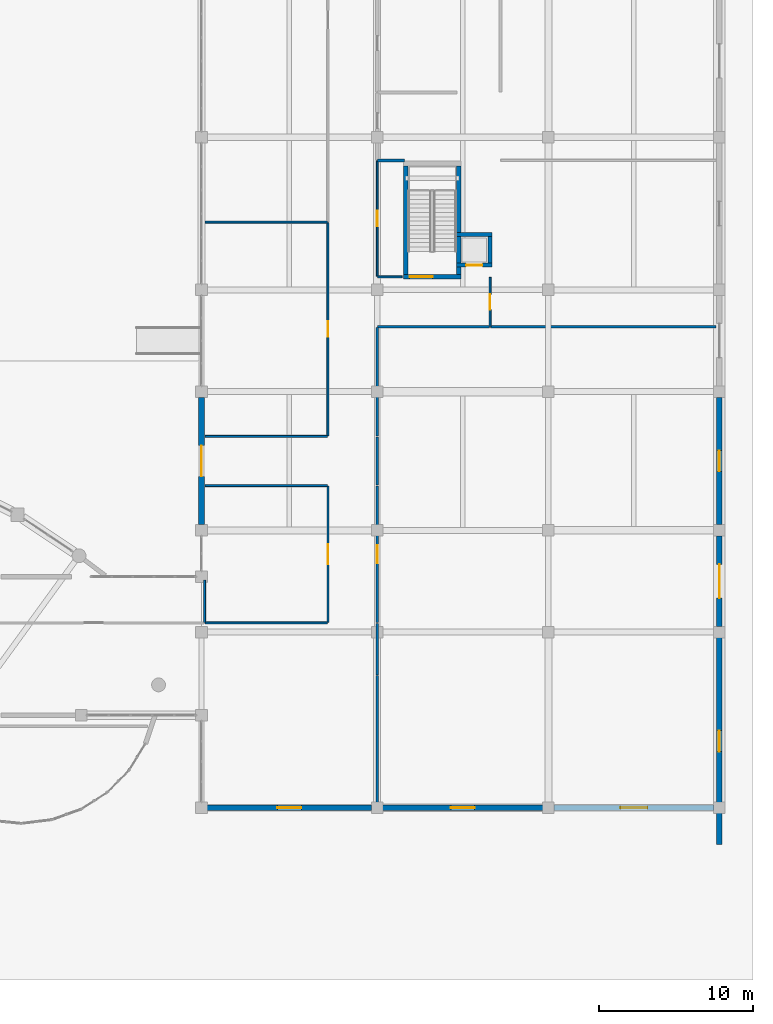
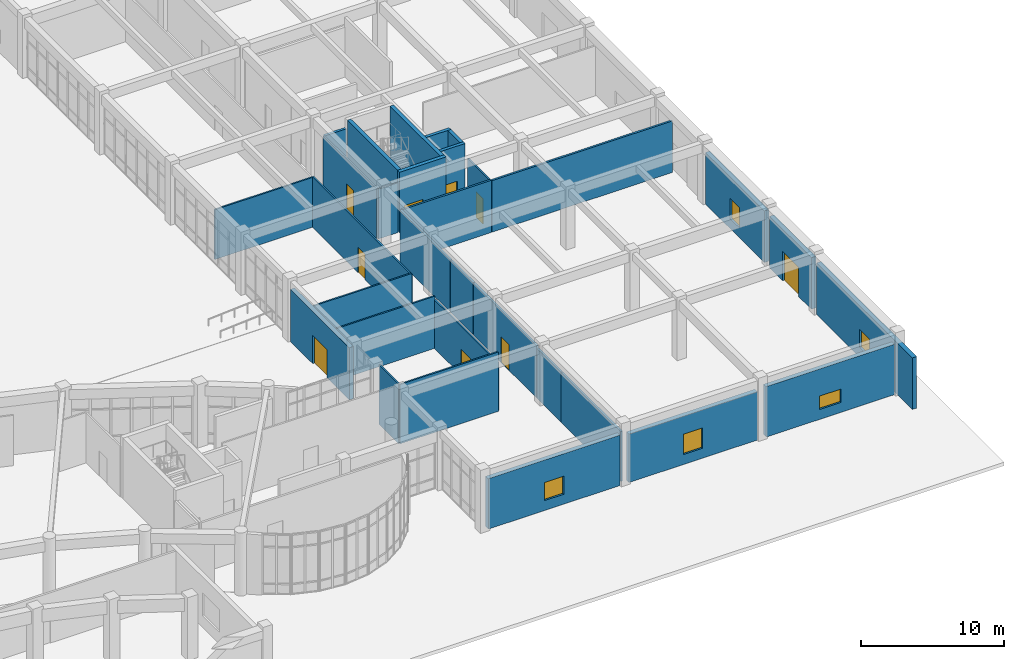
# One storey, part 56 of 70: 31 walls, 9 doors, 5 windows, 14 openings.
"""IFC4 building model written with IfcOpenShell, lengths in metres."""

import ifcopenshell
import ifcopenshell.guid

model = None  # the IFC model being written
_history = None  # IfcOwnerHistory: only IFC2X3 demands one
_inside = {}  # id of a spatial element -> (the spatial element, [elements in it])
_under = {}  # id of a project, library or spatial element -> (it, [spatial elements below it])
_declared = {}  # id of a project -> (the project, [libraries it declares])
_typed = {}  # id of a type object -> (the type object, [elements of that type])
_made_of = {}  # id of a material, layer set ... -> (it, [elements and type objects made of it])


def new_model(schema):
    """Start an empty IFC model of exactly this schema.

    Asked for "IFC4X3", IfcOpenShell would pick the latest addendum, in which some entities
    have other attributes; the version numbers below select the first issue.
    IFC2X3 requires an IfcOwnerHistory on every rooted entity: one is made here for all.
    """
    global model, _history
    if schema == "IFC4X3":
        model = ifcopenshell.file(schema_version=(4, 3, 0, 0))
    else:
        model = ifcopenshell.file(schema=schema)
    _inside.clear()
    _under.clear()
    _declared.clear()
    _typed.clear()
    _made_of.clear()
    _history = None
    if model.schema == "IFC2X3":
        org = make("IfcOrganization", Name="unknown")
        user = make(
            "IfcPersonAndOrganization",
            ThePerson=make("IfcPerson", FamilyName="unknown"),
            TheOrganization=org,
        )
        app = make(
            "IfcApplication",
            ApplicationDeveloper=org,
            Version="unknown",
            ApplicationFullName="unknown",
            ApplicationIdentifier="unknown",
        )
        _history = make(
            "IfcOwnerHistory",
            OwningUser=user,
            OwningApplication=app,
            ChangeAction="ADDED",
            CreationDate=0,
        )
    return model


def make(cls, **values):
    """One entity of the class cls with the attributes given. An attribute that is None is left unset."""
    return model.create_entity(
        cls, **{name: value for name, value in values.items() if value is not None}
    )


def rooted(cls, **values):
    """An entity with a GlobalId (a new one), such as an element, a storey or a relation."""
    return make(cls, GlobalId=ifcopenshell.guid.new(), OwnerHistory=_history, **values)


def si_unit(unit_type, name, prefix=None):
    """IfcSIUnit, for example si_unit("LENGTHUNIT", "METRE", prefix="MILLI")."""
    return make("IfcSIUnit", UnitType=unit_type, Prefix=prefix, Name=name)


def assignment(units):
    """IfcUnitAssignment: the units of a project."""
    return None if units is None else make("IfcUnitAssignment", Units=units)


def point(xyz):
    """IfcCartesianPoint."""
    return None if xyz is None else make("IfcCartesianPoint", Coordinates=xyz)


def direction(xyz):
    """IfcDirection."""
    return None if xyz is None else make("IfcDirection", DirectionRatios=xyz)


def frame(location, z_axis=None, x_axis=None):
    """IfcAxis2Placement3D, a coordinate frame: its origin and axes. An axis left out is left unset."""
    return make(
        "IfcAxis2Placement3D",
        Location=point(location),
        Axis=direction(z_axis),
        RefDirection=direction(x_axis),
    )


def frame_2d(location, x_axis=None):
    """IfcAxis2Placement2D, a coordinate frame in the plane: its origin and x axis."""
    return make(
        "IfcAxis2Placement2D", Location=point(location), RefDirection=direction(x_axis)
    )


def origin():
    """The frame at (0, 0, 0) with its axes left unset."""
    return frame((0.0, 0.0, 0.0))


def place(relative_to, where):
    """IfcLocalPlacement: puts the frame where relative to a parent placement (None: the world)."""
    return make(
        "IfcLocalPlacement", PlacementRelTo=relative_to, RelativePlacement=where
    )


def context(
    kind, dimensions, precision=None, world=None, true_north=None, identifier=None
):
    """IfcGeometricRepresentationContext, for example the 3D "Model" context."""
    return make(
        "IfcGeometricRepresentationContext",
        ContextIdentifier=identifier,
        ContextType=kind,
        CoordinateSpaceDimension=dimensions,
        Precision=precision,
        WorldCoordinateSystem=world,
        TrueNorth=true_north,
    )


def subcontext(parent, identifier, kind, view, scale=None):
    """IfcGeometricRepresentationSubContext, for example "Body" below "Model"."""
    return make(
        "IfcGeometricRepresentationSubContext",
        ContextIdentifier=identifier,
        ContextType=kind,
        ParentContext=parent,
        TargetScale=scale,
        TargetView=view,
    )


def project(units=None, contexts=None):
    """IfcProject with its units and contexts."""
    return rooted(
        "IfcProject",
        Name="project",
        RepresentationContexts=contexts,
        UnitsInContext=assignment(units),
    )


def spatial(cls, under=None, at=None, **own):
    """A site, building, storey or space (cls), placed at a placement, below another one or the project."""
    s = rooted(cls, ObjectPlacement=at, **own)
    if under is not None:
        _under.setdefault(under.id(), (under, []))[1].append(s)
    return s


def profile(cls, at=None, kind="AREA", **sizes):
    """A parametric profile (cls). Its sizes go by their IFC names, for example OverallWidth=200.0."""
    return make(cls, ProfileType=kind, Position=at, **sizes)


def rectangle(**sizes):
    """IfcRectangleProfileDef."""
    return profile("IfcRectangleProfileDef", **sizes)


def extrude(swept, where, along, depth):
    """IfcExtrudedAreaSolid: the profile swept, set in the frame where, extruded along a direction by depth."""
    return make(
        "IfcExtrudedAreaSolid",
        SweptArea=swept,
        Position=where,
        ExtrudedDirection=direction(along),
        Depth=depth,
    )


def shape(context_of_items, identifier, shape_type, items):
    """IfcShapeRepresentation: the items that make up one representation, for example the "Body"."""
    return make(
        "IfcShapeRepresentation",
        ContextOfItems=context_of_items,
        RepresentationIdentifier=identifier,
        RepresentationType=shape_type,
        Items=items,
    )


def material(Name=None, Category=None):
    """IfcMaterial."""
    return make("IfcMaterial", Name=Name, Category=Category)


def layer(
    of_material, thickness, ventilated=None, Name=None, Category=None, Priority=None
):
    """IfcMaterialLayer: one layer of a wall or slab, of a material (None: an air gap)."""
    return make(
        "IfcMaterialLayer",
        Material=of_material,
        LayerThickness=thickness,
        IsVentilated=ventilated,
        Name=Name,
        Category=Category,
        Priority=Priority,
    )


def layer_set(layers, Name=None):
    """IfcMaterialLayerSet."""
    return make("IfcMaterialLayerSet", MaterialLayers=layers, LayerSetName=Name)


def made_of(thing, what):
    """Note that an element or type object is made of a material, layer set ...; save() writes the relation."""
    if what is not None:
        _made_of.setdefault(what.id(), (what, []))[1].append(thing)
    return thing


def type_object(cls, material=None, **own):
    """A type object (cls), such as IfcWallType, which elements share."""
    return made_of(rooted(cls, **own), material)


def element(
    cls,
    number,
    at=None,
    inside=None,
    cuts=None,
    type_object=None,
    material=None,
    context=None,
    identifier="Body",
    shape_type=None,
    held_by="IfcProductDefinitionShape",
    body=None,
    shapes=None,
    **own,
):
    """One element of the class cls, such as IfcWall. Its Tag is "e" and its number.

    at: its placement. inside: the storey or other place that contains it. cuts: it is an
    opening in that element (IfcRelVoidsElement). A single representation is given by context,
    identifier, shape_type and body (its items); several are given by shapes. held_by: the class
    of the entity that holds the representations. save() writes the other relations.
    """
    e = rooted(cls, Tag="e%d" % number, ObjectPlacement=at, **own)
    if body is not None:
        shapes = [shape(context, identifier, shape_type, body)]
    if shapes is not None:
        e.Representation = make(held_by, Representations=shapes)
    if inside is not None:
        _inside.setdefault(inside.id(), (inside, []))[1].append(e)
    if cuts is not None:
        rooted(
            "IfcRelVoidsElement", RelatingBuildingElement=cuts, RelatedOpeningElement=e
        )
    if type_object is not None:
        _typed.setdefault(type_object.id(), (type_object, []))[1].append(e)
    return made_of(e, material)


def fill(opening, filler):
    """IfcRelFillsElement: the door or window that sits in an opening."""
    return rooted(
        "IfcRelFillsElement",
        RelatingOpeningElement=opening,
        RelatedBuildingElement=filler,
    )


def aggregate(whole, parts):
    """IfcRelAggregates: a whole, such as a stair, and the parts it consists of."""
    return rooted("IfcRelAggregates", RelatingObject=whole, RelatedObjects=parts)


def save(model, path):
    """Write the relations noted so far, then the file.

    IfcRelAggregates (storeys below a building ...), IfcRelContainedInSpatialStructure (elements
    in a storey), IfcRelDefinesByType, IfcRelAssociatesMaterial and IfcRelDeclares: one each for
    every whole, place, type object, material and project.
    """
    for whole, parts in _under.values():
        aggregate(whole, parts)
    for where, things in _inside.values():
        rooted(
            "IfcRelContainedInSpatialStructure",
            RelatedElements=things,
            RelatingStructure=where,
        )
    for kind, things in _typed.values():
        rooted("IfcRelDefinesByType", RelatedObjects=things, RelatingType=kind)
    for what, things in _made_of.values():
        rooted("IfcRelAssociatesMaterial", RelatedObjects=things, RelatingMaterial=what)
    for by, libraries in _declared.values():
        rooted("IfcRelDeclares", RelatingContext=by, RelatedDefinitions=libraries)
    model.write(path)


model = new_model("IFC4")

# Units and contexts
model_context = context("Model", 3, precision=1e-05, world=origin(), true_north=direction((0.0, 1.0)))
body_context = subcontext(model_context, "Body", "Model", "MODEL_VIEW")
ifc_project = project(units=[si_unit("LENGTHUNIT", "METRE"), si_unit("AREAUNIT", "SQUARE_METRE"), si_unit("VOLUMEUNIT", "CUBIC_METRE"), si_unit("PLANEANGLEUNIT", "RADIAN"), si_unit("MASSUNIT", "GRAM", prefix="KILO")], contexts=[model_context])

# Site, building, storey
site_placement = place(None, origin())
site = spatial("IfcSite", under=ifc_project, at=site_placement, CompositionType="ELEMENT")
building_placement = place(site_placement, origin())
building = spatial("IfcBuilding", under=site, at=building_placement, Name="Miralva Faculty of Natural Sciences", CompositionType="ELEMENT")
storey_placement = place(building_placement, origin())
storey = spatial("IfcBuildingStorey", under=building, at=storey_placement, Name="L00", CompositionType="ELEMENT", Elevation=0.0)

# Wall, opening, door
ifc_material_1 = material(Name="Concrete C40/50", Category="concrete")
ifc_layer_1 = layer(ifc_material_1, 0.300048828125, Name="WL-CW03")
ifc_layer_set_1 = layer_set([ifc_layer_1], Name="Concrete C40/50")
wall_type_1 = type_object("IfcWallType", Name="WL-CW03", PredefinedType="SHEAR", material=ifc_layer_set_1)
wall_1_placement = place(storey_placement, frame((146.89990234375, 46.449951171875, 0.0), z_axis=(0.0, 0.0, 1.0), x_axis=(1.0, 0.0, 0.0)))
wall_1 = element("IfcWall", 1, at=wall_1_placement, inside=storey, type_object=wall_type_1, Name="Core C4 shear wall south L00", PredefinedType="SHEAR", context=body_context, shape_type="SweptSolid", body=[
    extrude(rectangle(XDim=3.75, YDim=0.300048828125, at=frame_2d((1.875, 0.0))), origin(), (0.0, 0.0, 1.0), 5.179931640625),
])
opening_1_placement = place(wall_1_placement, frame((0.39990234375, 0.0, 0.0)))
opening_1 = element("IfcOpeningElement", 2, at=opening_1_placement, cuts=wall_1, Name="Opening D-11", PredefinedType="OPENING", context=body_context, shape_type="SweptSolid", body=[
    extrude(rectangle(XDim=1.5, YDim=2.199951171875, at=frame_2d((0.75, 1.10009765625))), frame((0.0, 0.159912109375, 0.0), z_axis=(0.0, -1.0, 0.0), x_axis=(1.0, 0.0, 0.0)), (0.0, 0.0, 1.0), 0.320068359375),
])
ifc_material_2 = material(Name="Galvanised steel", Category="steel")
door_type_1 = type_object("IfcDoorType", Name="DR-DI11", OperationType="DOUBLE_DOOR_SINGLE_SWING", PredefinedType="DOOR", material=ifc_material_2)
door_1_placement = place(opening_1_placement, frame((1.5, 0.0, 0.0), z_axis=(0.0, 0.0, 1.0), x_axis=(-1.0, 0.0, 0.0)))
door_1 = element("IfcDoor", 3, at=door_1_placement, inside=storey, type_object=door_type_1, Name="Protected exit stair door Core C4 L00", OperationType="DOUBLE_DOOR_SINGLE_SWING", OverallHeight=2.199951171875, OverallWidth=1.5, PredefinedType="DOOR", context=body_context, shape_type="SweptSolid", body=[
    extrude(rectangle(XDim=1.5, YDim=2.199951171875, at=frame_2d((0.75, 1.10009765625))), frame((0.0, 0.02490234375, 0.0), z_axis=(0.0, -1.0, 0.0), x_axis=(1.0, 0.0, 0.0)), (0.0, 0.0, 1.0), 0.050048828125),
])
fill(opening_1, door_1)

# Walls
for number, where, z_axis, x_axis, name in (
    (4, (147.050048828125, 46.60009765625, 0.0), (0.0, 0.0, 1.0), (0.0, 1.0, 0.0), "Core C4 shear wall west L00"),
    (5, (150.5, 46.60009765625, 0.0), (0.0, 0.0, 1.0), (0.0, 1.0, 0.0), "Core C4 shear wall east L00"),
):
    element("IfcWall", number, at=place(storey_placement, frame(where, z_axis=z_axis, x_axis=x_axis)), inside=storey, type_object=wall_type_1, Name=name, PredefinedType="SHEAR", context=body_context, shape_type="SweptSolid", body=[
        extrude(rectangle(XDim=7.0498046875, YDim=0.300048828125, at=frame_2d((3.52490234375, 0.0))), origin(), (0.0, 0.0, 1.0), 5.179931640625),
    ])

# Wall, opening, door
ifc_layer_2 = layer(ifc_material_1, 0.25, Name="WL-CW04")
ifc_layer_set_2 = layer_set([ifc_layer_2], Name="Concrete C40/50")
wall_type_2 = type_object("IfcWallType", Name="WL-CW04", PredefinedType="SHEAR", material=ifc_layer_set_2)
wall_2_placement = place(storey_placement, frame((150.35498046875, 47.205078125, 0.0), z_axis=(0.0, 0.0, 1.0), x_axis=(1.0, 0.0, 0.0)))
wall_2 = element("IfcWall", 6, at=wall_2_placement, inside=storey, type_object=wall_type_2, Name="Lift L-06 hoistway front wall L00", PredefinedType="SHEAR", context=body_context, shape_type="SweptSolid", body=[
    extrude(rectangle(XDim=2.2900390625, YDim=0.25, at=frame_2d((1.14501953125, 0.0))), origin(), (0.0, 0.0, 1.0), 5.159912109375),
])
opening_2_placement = place(wall_2_placement, frame((0.6201171875, 0.0, 0.0)))
opening_2 = element("IfcOpeningElement", 7, at=opening_2_placement, cuts=wall_2, Name="Opening LD-03", PredefinedType="OPENING", context=body_context, shape_type="SweptSolid", body=[
    extrude(rectangle(XDim=1.050048828125, YDim=2.14990234375, at=frame_2d((0.52490234375, 1.074951171875))), frame((0.0, 0.135009765625, 0.0), z_axis=(0.0, -1.0, 0.0), x_axis=(1.0, 0.0, 0.0)), (0.0, 0.0, 1.0), 0.27001953125),
])
door_type_2 = type_object("IfcDoorType", Name="DR-LD03", OperationType="SLIDING_TO_RIGHT", PredefinedType="DOOR", material=ifc_material_2)
door_2_placement = place(opening_2_placement, frame((1.050048828125, 0.0, 0.0), z_axis=(0.0, 0.0, 1.0), x_axis=(-1.0, 0.0, 0.0)))
door_2 = element("IfcDoor", 8, at=door_2_placement, inside=storey, type_object=door_type_2, Name="Lift L-06 sliding landing door L00", OperationType="SLIDING_TO_RIGHT", OverallHeight=2.14990234375, OverallWidth=1.050048828125, PredefinedType="DOOR", context=body_context, shape_type="SweptSolid", body=[
    extrude(rectangle(XDim=1.050048828125, YDim=2.14990234375, at=frame_2d((0.52490234375, 1.074951171875))), frame((0.0, 0.02490234375, 0.0), z_axis=(0.0, -1.0, 0.0), x_axis=(1.0, 0.0, 0.0)), (0.0, 0.0, 1.0), 0.050048828125),
])
fill(opening_2, door_2)

# Walls
wall_3_placement = place(storey_placement, frame((150.35498046875, 49.195068359375, 0.0), z_axis=(0.0, 0.0, 1.0), x_axis=(1.0, 0.0, 0.0)))
element("IfcWall", 9, at=wall_3_placement, inside=storey, type_object=wall_type_2, Name="Lift L-06 hoistway rear wall L00", PredefinedType="SHEAR", context=body_context, shape_type="SweptSolid", body=[
    extrude(rectangle(XDim=2.2900390625, YDim=0.25, at=frame_2d((1.14501953125, 0.0))), origin(), (0.0, 0.0, 1.0), 5.159912109375),
])
wall_4_placement = place(storey_placement, frame((152.52001953125, 47.330078125, 0.0), z_axis=(0.0, 0.0, 1.0), x_axis=(0.0, 1.0, 0.0)))
element("IfcWall", 10, at=wall_4_placement, inside=storey, type_object=wall_type_2, Name="Lift L-06 hoistway E wall L00", PredefinedType="SHEAR", context=body_context, shape_type="SweptSolid", body=[
    extrude(rectangle(XDim=1.739990234375, YDim=0.25, at=frame_2d((0.8701171875, 0.0))), origin(), (0.0, 0.0, 1.0), 5.159912109375),
])
ifc_material_3 = material(Name="Gypsum plasterboard")
ifc_layer_3 = layer(ifc_material_3, 0.159912109375, Name="WL-PT03")
ifc_layer_set_3 = layer_set([ifc_layer_3], Name="Gypsum plasterboard")
wall_type_3 = type_object("IfcWallType", Name="WL-PT03", PredefinedType="PARTITIONING", material=ifc_layer_set_3)
wall_5_placement = place(storey_placement, frame((145.22998046875, 43.199951171875, 0.0), z_axis=(0.0, 0.0, 1.0), x_axis=(1.0, 0.0, 0.0)))
element("IfcWall", 11, at=wall_5_placement, inside=storey, type_object=wall_type_3, Name="Interior partition PT-03 L00-79", PredefinedType="PARTITIONING", context=body_context, shape_type="SweptSolid", body=[
    extrude(rectangle(XDim=7.260009765625, YDim=0.159912109375, at=frame_2d((3.6298828125, 0.0))), origin(), (0.0, 0.0, 1.0), 4.465087890625),
])
wall_6_placement = place(storey_placement, frame((145.199951171875, 36.1298828125, 0.0), z_axis=(0.0, 0.0, 1.0), x_axis=(0.0, 1.0, 0.0)))
element("IfcWall", 12, at=wall_6_placement, inside=storey, type_object=wall_type_3, Name="Interior partition PT-03 L00-80", PredefinedType="PARTITIONING", context=body_context, shape_type="SweptSolid", body=[
    extrude(rectangle(XDim=7.0400390625, YDim=0.159912109375, at=frame_2d((3.52001953125, 0.0))), origin(), (0.0, 0.0, 1.0), 4.465087890625),
])
wall_7_placement = place(storey_placement, frame((145.199951171875, 32.929931640625, 0.0), z_axis=(0.0, 0.0, 1.0), x_axis=(0.0, 1.0, 0.0)))
element("IfcWall", 13, at=wall_7_placement, inside=storey, type_object=wall_type_3, Name="Interior partition PT-03 L00-81", PredefinedType="PARTITIONING", context=body_context, shape_type="SweptSolid", body=[
    extrude(rectangle(XDim=3.14013671875, YDim=0.159912109375, at=frame_2d((1.570068359375, 0.0))), origin(), (0.0, 0.0, 1.0), 4.465087890625),
])

# Wall, opening, door
wall_8_placement = place(storey_placement, frame((145.199951171875, 24.030029296875, 0.0), z_axis=(0.0, 0.0, 1.0), x_axis=(0.0, 1.0, 0.0)))
wall_8 = element("IfcWall", 14, at=wall_8_placement, inside=storey, type_object=wall_type_3, Name="Interior partition PT-03 L00-82", PredefinedType="PARTITIONING", context=body_context, shape_type="SweptSolid", body=[
    extrude(rectangle(XDim=8.840087890625, YDim=0.159912109375, at=frame_2d((4.419921875, 0.0))), origin(), (0.0, 0.0, 1.0), 4.465087890625),
])
opening_3_placement = place(wall_8_placement, frame((3.830078125, 0.0, 0.0)))
opening_3 = element("IfcOpeningElement", 15, at=opening_3_placement, cuts=wall_8, Name="Opening D-34", PredefinedType="OPENING", context=body_context, shape_type="SweptSolid", body=[
    extrude(rectangle(XDim=1.179931640625, YDim=2.199951171875, at=frame_2d((0.58984375, 1.10009765625))), frame((0.0, 0.08984375, 0.0), z_axis=(0.0, -1.0, 0.0), x_axis=(1.0, 0.0, 0.0)), (0.0, 0.0, 1.0), 0.179931640625),
])
ifc_material_4 = material(Name="Anodised aluminium", Category="aluminium")
door_type_3 = type_object("IfcDoorType", Name="DR-DI34", OperationType="NOTDEFINED", PredefinedType="DOOR", material=ifc_material_4)
door_3_placement = place(opening_3_placement, origin())
door_3 = element("IfcDoor", 16, at=door_3_placement, inside=storey, type_object=door_type_3, Name="Interior door D-34 L00-37", OperationType="SINGLE_SWING_RIGHT", OverallHeight=2.199951171875, OverallWidth=1.179931640625, PredefinedType="DOOR", context=body_context, shape_type="SweptSolid", body=[
    extrude(rectangle(XDim=1.179931640625, YDim=2.199951171875, at=frame_2d((0.58984375, 1.10009765625))), frame((0.0, 0.02490234375, 0.0), z_axis=(0.0, -1.0, 0.0), x_axis=(1.0, 0.0, 0.0)), (0.0, 0.0, 1.0), 0.050048828125),
])
fill(opening_3, door_3)

# Walls
wall_9_placement = place(storey_placement, frame((145.199951171875, 20.6298828125, 0.0), z_axis=(0.0, 0.0, 1.0), x_axis=(0.0, 1.0, 0.0)))
element("IfcWall", 17, at=wall_9_placement, inside=storey, type_object=wall_type_3, Name="Interior partition PT-03 L00-83", PredefinedType="PARTITIONING", context=body_context, shape_type="SweptSolid", body=[
    extrude(rectangle(XDim=3.340087890625, YDim=0.159912109375, at=frame_2d((1.669921875, 0.0))), origin(), (0.0, 0.0, 1.0), 4.264892578125),
])
wall_10_placement = place(storey_placement, frame((145.199951171875, 12.22998046875, 0.0), z_axis=(0.0, 0.0, 1.0), x_axis=(0.0, 1.0, 0.0)))
element("IfcWall", 18, at=wall_10_placement, inside=storey, type_object=wall_type_3, Name="Interior partition PT-03 L00-84", PredefinedType="PARTITIONING", context=body_context, shape_type="SweptSolid", body=[
    extrude(rectangle(XDim=8.340087890625, YDim=0.159912109375, at=frame_2d((4.169921875, 0.0))), origin(), (0.0, 0.0, 1.0), 4.264892578125),
])
wall_11_placement = place(storey_placement, frame((152.550048828125, 43.199951171875, 0.0), z_axis=(0.0, 0.0, 1.0), x_axis=(1.0, 0.0, 0.0)))
element("IfcWall", 19, at=wall_11_placement, inside=storey, type_object=wall_type_3, Name="Interior partition PT-03 L00-118", PredefinedType="PARTITIONING", context=body_context, shape_type="SweptSolid", body=[
    extrude(rectangle(XDim=14.619873046875, YDim=0.159912109375, at=frame_2d((7.31005859375, 0.0))), origin(), (0.0, 0.0, 1.0), 4.4150390625),
])
ifc_layer_4 = layer(ifc_material_3, 0.125, Name="WL-PT05")
ifc_layer_set_4 = layer_set([ifc_layer_4], Name="Gypsum plasterboard")
wall_type_4 = type_object("IfcWallType", Name="WL-PT05", PredefinedType="PARTITIONING", material=ifc_layer_set_4)
wall_12_placement = place(storey_placement, frame((134.030029296875, 24.0, 0.0), z_axis=(0.0, 0.0, 1.0), x_axis=(1.0, 0.0, 0.0)))
element("IfcWall", 20, at=wall_12_placement, inside=storey, type_object=wall_type_4, Name="Interior partition PT-05 L00-72", PredefinedType="PARTITIONING", context=body_context, shape_type="SweptSolid", body=[
    extrude(rectangle(XDim=7.93994140625, YDim=0.125, at=frame_2d((3.969970703125, 0.0))), origin(), (0.0, 0.0, 1.0), 5.080078125),
])

# Wall, opening, door
wall_13_placement = place(storey_placement, frame((142.0, 24.030029296875, 0.0), z_axis=(0.0, 0.0, 1.0), x_axis=(0.0, 1.0, 0.0)))
wall_13 = element("IfcWall", 21, at=wall_13_placement, inside=storey, type_object=wall_type_4, Name="Interior partition PT-05 L00-73", PredefinedType="PARTITIONING", context=body_context, shape_type="SweptSolid", body=[
    extrude(rectangle(XDim=8.840087890625, YDim=0.125, at=frame_2d((4.419921875, 0.0))), origin(), (0.0, 0.0, 1.0), 4.155029296875),
])
opening_4_placement = place(wall_13_placement, frame((3.77001953125, 0.0, 0.0)))
opening_4 = element("IfcOpeningElement", 22, at=opening_4_placement, cuts=wall_13, Name="Opening D-36", PredefinedType="OPENING", context=body_context, shape_type="SweptSolid", body=[
    extrude(rectangle(XDim=1.300048828125, YDim=2.199951171875, at=frame_2d((0.64990234375, 1.10009765625))), frame((0.0, 0.072509765625, 0.0), z_axis=(0.0, -1.0, 0.0), x_axis=(1.0, 0.0, 0.0)), (0.0, 0.0, 1.0), 0.14501953125),
])
door_type_4 = type_object("IfcDoorType", Name="DR-DI36", OperationType="NOTDEFINED", PredefinedType="DOOR", material=ifc_material_4)
door_4_placement = place(opening_4_placement, origin())
door_4 = element("IfcDoor", 23, at=door_4_placement, inside=storey, type_object=door_type_4, Name="Interior door D-36 L00-35", OperationType="SINGLE_SWING_RIGHT", OverallHeight=2.199951171875, OverallWidth=1.300048828125, PredefinedType="DOOR", context=body_context, shape_type="SweptSolid", body=[
    extrude(rectangle(XDim=1.300048828125, YDim=2.199951171875, at=frame_2d((0.64990234375, 1.10009765625))), frame((0.0, 0.02490234375, 0.0), z_axis=(0.0, -1.0, 0.0), x_axis=(1.0, 0.0, 0.0)), (0.0, 0.0, 1.0), 0.050048828125),
])
fill(opening_4, door_4)

# Walls
for number, where, z_axis, x_axis, name in (
    (24, (134.030029296875, 32.89990234375, 0.0), (0.0, 0.0, 1.0), (1.0, 0.0, 0.0), "Interior partition PT-05 L00-74"),
    (25, (134.030029296875, 36.10009765625, 0.0), (0.0, 0.0, 1.0), (1.0, 0.0, 0.0), "Interior partition PT-05 L00-75"),
):
    element("IfcWall", number, at=place(storey_placement, frame(where, z_axis=z_axis, x_axis=x_axis)), inside=storey, type_object=wall_type_4, Name=name, PredefinedType="PARTITIONING", context=body_context, shape_type="SweptSolid", body=[
        extrude(rectangle(XDim=7.93994140625, YDim=0.125, at=frame_2d((3.969970703125, 0.0))), origin(), (0.0, 0.0, 1.0), 4.465087890625),
    ])

# Wall, opening, door
wall_14_placement = place(storey_placement, frame((142.0, 36.1298828125, 0.0), z_axis=(0.0, 0.0, 1.0), x_axis=(0.0, 1.0, 0.0)))
wall_14 = element("IfcWall", 26, at=wall_14_placement, inside=storey, type_object=wall_type_4, Name="Interior partition PT-05 L00-76", PredefinedType="PARTITIONING", context=body_context, shape_type="SweptSolid", body=[
    extrude(rectangle(XDim=13.840087890625, YDim=0.125, at=frame_2d((6.919921875, 0.0))), origin(), (0.0, 0.0, 1.0), 4.31494140625),
])
opening_5_placement = place(wall_14_placement, frame((6.419921875, 0.0, 0.0)))
opening_5 = element("IfcOpeningElement", 27, at=opening_5_placement, cuts=wall_14, Name="Opening D-25", PredefinedType="OPENING", context=body_context, shape_type="SweptSolid", body=[
    extrude(rectangle(XDim=1.0, YDim=2.14990234375, at=frame_2d((0.5, 1.074951171875))), frame((0.0, 0.072509765625, 0.0), z_axis=(0.0, -1.0, 0.0), x_axis=(1.0, 0.0, 0.0)), (0.0, 0.0, 1.0), 0.14501953125),
])
door_type_5 = type_object("IfcDoorType", Name="DR-DI25", OperationType="NOTDEFINED", PredefinedType="DOOR", material=ifc_material_4)
door_5_placement = place(opening_5_placement, origin())
door_5 = element("IfcDoor", 28, at=door_5_placement, inside=storey, type_object=door_type_5, Name="Interior door D-25 L00-36", OperationType="SINGLE_SWING_LEFT", OverallHeight=2.14990234375, OverallWidth=1.0, PredefinedType="DOOR", context=body_context, shape_type="SweptSolid", body=[
    extrude(rectangle(XDim=1.0, YDim=2.14990234375, at=frame_2d((0.5, 1.074951171875))), frame((0.0, 0.02490234375, 0.0), z_axis=(0.0, -1.0, 0.0), x_axis=(1.0, 0.0, 0.0)), (0.0, 0.0, 1.0), 0.050048828125),
])
fill(opening_5, door_5)

wall_15_placement = place(storey_placement, frame((152.52001953125, 43.22998046875, 0.0), z_axis=(0.0, 0.0, 1.0), x_axis=(0.0, 1.0, 0.0)))
wall_15 = element("IfcWall", 29, at=wall_15_placement, inside=storey, type_object=wall_type_4, Name="Interior partition PT-05 L00-85", PredefinedType="PARTITIONING", context=body_context, shape_type="SweptSolid", body=[
    extrude(rectangle(XDim=3.18994140625, YDim=0.125, at=frame_2d((1.594970703125, 0.0))), origin(), (0.0, 0.0, 1.0), 4.35498046875),
])
opening_6_placement = place(wall_15_placement, frame((1.094970703125, 0.0, 0.0)))
opening_6 = element("IfcOpeningElement", 30, at=opening_6_placement, cuts=wall_15, Name="Opening D-25", PredefinedType="OPENING", context=body_context, shape_type="SweptSolid", body=[
    extrude(rectangle(XDim=1.0, YDim=2.14990234375, at=frame_2d((0.5, 1.074951171875))), frame((0.0, 0.072509765625, 0.0), z_axis=(0.0, -1.0, 0.0), x_axis=(1.0, 0.0, 0.0)), (0.0, 0.0, 1.0), 0.14501953125),
])
door_6_placement = place(opening_6_placement, origin())
door_6 = element("IfcDoor", 31, at=door_6_placement, inside=storey, type_object=door_type_5, Name="Interior door D-25 L00-38", OperationType="SINGLE_SWING_LEFT", OverallHeight=2.14990234375, OverallWidth=1.0, PredefinedType="DOOR", context=body_context, shape_type="SweptSolid", body=[
    extrude(rectangle(XDim=1.0, YDim=2.14990234375, at=frame_2d((0.5, 1.074951171875))), frame((0.0, 0.02490234375, 0.0), z_axis=(0.0, -1.0, 0.0), x_axis=(1.0, 0.0, 0.0)), (0.0, 0.0, 1.0), 0.050048828125),
])
fill(opening_6, door_6)

wall_16_placement = place(storey_placement, frame((145.199951171875, 46.47998046875, 0.0), z_axis=(0.0, 0.0, 1.0), x_axis=(0.0, 1.0, 0.0)))
wall_16 = element("IfcWall", 32, at=wall_16_placement, inside=storey, type_object=wall_type_4, Name="Interior partition PT-05 L00-91", PredefinedType="PARTITIONING", context=body_context, shape_type="SweptSolid", body=[
    extrude(rectangle(XDim=7.489990234375, YDim=0.125, at=frame_2d((3.7451171875, 0.0))), origin(), (0.0, 0.0, 1.0), 4.264892578125),
])
opening_7_placement = place(wall_16_placement, frame((3.2451171875, 0.0, 0.0)))
opening_7 = element("IfcOpeningElement", 33, at=opening_7_placement, cuts=wall_16, Name="Opening D-25", PredefinedType="OPENING", context=body_context, shape_type="SweptSolid", body=[
    extrude(rectangle(XDim=1.0, YDim=2.14990234375, at=frame_2d((0.5, 1.074951171875))), frame((0.0, 0.072509765625, 0.0), z_axis=(0.0, -1.0, 0.0), x_axis=(1.0, 0.0, 0.0)), (0.0, 0.0, 1.0), 0.14501953125),
])
door_7_placement = place(opening_7_placement, origin())
door_7 = element("IfcDoor", 34, at=door_7_placement, inside=storey, type_object=door_type_5, Name="Interior door D-25 L00-43", OperationType="SINGLE_SWING_RIGHT", OverallHeight=2.14990234375, OverallWidth=1.0, PredefinedType="DOOR", context=body_context, shape_type="SweptSolid", body=[
    extrude(rectangle(XDim=1.0, YDim=2.14990234375, at=frame_2d((0.5, 1.074951171875))), frame((0.0, 0.02490234375, 0.0), z_axis=(0.0, -1.0, 0.0), x_axis=(1.0, 0.0, 0.0)), (0.0, 0.0, 1.0), 0.050048828125),
])
fill(opening_7, door_7)

# Walls
wall_17_placement = place(storey_placement, frame((145.22998046875, 46.449951171875, 0.0), z_axis=(0.0, 0.0, 1.0), x_axis=(1.0, 0.0, 0.0)))
element("IfcWall", 35, at=wall_17_placement, inside=storey, type_object=wall_type_4, Name="Interior partition PT-05 L00-92", PredefinedType="PARTITIONING", context=body_context, shape_type="SweptSolid", body=[
    extrude(rectangle(XDim=1.590087890625, YDim=0.125, at=frame_2d((0.794921875, 0.0))), origin(), (0.0, 0.0, 1.0), 4.264892578125),
])
wall_18_placement = place(storey_placement, frame((134.0, 24.030029296875, 0.0), z_axis=(0.0, 0.0, 1.0), x_axis=(0.0, 1.0, 0.0)))
element("IfcWall", 36, at=wall_18_placement, inside=storey, type_object=wall_type_4, Name="Interior partition PT-05 L00-115", PredefinedType="PARTITIONING", context=body_context, shape_type="SweptSolid", body=[
    extrude(rectangle(XDim=2.739990234375, YDim=0.125, at=frame_2d((1.3701171875, 0.0))), origin(), (0.0, 0.0, 1.0), 5.080078125),
])
wall_19_placement = place(storey_placement, frame((134.030029296875, 50.0, 0.0), z_axis=(0.0, 0.0, 1.0), x_axis=(1.0, 0.0, 0.0)))
element("IfcWall", 37, at=wall_19_placement, inside=storey, type_object=wall_type_4, Name="Interior partition PT-05 L00-116", PredefinedType="PARTITIONING", context=body_context, shape_type="SweptSolid", body=[
    extrude(rectangle(XDim=7.93994140625, YDim=0.125, at=frame_2d((3.969970703125, 0.0))), origin(), (0.0, 0.0, 1.0), 4.264892578125),
])
ifc_layer_5 = layer(ifc_material_3, 0.2099609375, Name="WL-PT06")
ifc_layer_set_5 = layer_set([ifc_layer_5], Name="Gypsum plasterboard")
wall_type_5 = type_object("IfcWallType", Name="WL-PT06", PredefinedType="PLUMBINGWALL", material=ifc_layer_set_5)
wall_20_placement = place(storey_placement, frame((145.22998046875, 54.0, 0.0), z_axis=(0.0, 0.0, 1.0), x_axis=(1.0, 0.0, 0.0)))
element("IfcWall", 38, at=wall_20_placement, inside=storey, type_object=wall_type_5, Name="Interior partition PT-06 L00-121", PredefinedType="PLUMBINGWALL", context=body_context, shape_type="SweptSolid", body=[
    extrude(rectangle(XDim=1.739990234375, YDim=0.2099609375, at=frame_2d((0.8701171875, 0.0))), origin(), (0.0, 0.0, 1.0), 4.264892578125),
])

# Wall, opening, door
ifc_material_5 = material(Name="Volcanic tuff architectural stone", Category="masonry")
ifc_layer_6 = layer(ifc_material_5, 0.360107421875, Name="WL-WT01")
ifc_layer_set_6 = layer_set([ifc_layer_6], Name="Volcanic tuff architectural stone")
wall_type_6 = type_object("IfcWallType", Name="WL-WT01", PredefinedType="SOLIDWALL", material=ifc_layer_set_6)
wall_21_placement = place(storey_placement, frame((133.800048828125, 30.364990234375, 0.0), z_axis=(0.0, 0.0, 1.0), x_axis=(0.0, 1.0, 0.0)))
wall_21 = element("IfcWall", 39, at=wall_21_placement, inside=storey, type_object=wall_type_6, Name="Exterior wall L00-288", PredefinedType="SOLIDWALL", context=body_context, shape_type="SweptSolid", body=[
    extrude(rectangle(XDim=8.27001953125, YDim=0.360107421875, at=frame_2d((4.135009765625, 0.0))), origin(), (0.0, 0.0, 1.0), 4.465087890625),
])
opening_8_placement = place(wall_21_placement, frame((3.135009765625, 0.0, 0.0)))
opening_8 = element("IfcOpeningElement", 40, at=opening_8_placement, cuts=wall_21, Name="Opening D-02", PredefinedType="OPENING", context=body_context, shape_type="SweptSolid", body=[
    extrude(rectangle(XDim=2.0, YDim=2.39990234375, at=frame_2d((1.0, 1.199951171875))), frame((0.0, 0.18994140625, 0.0), z_axis=(0.0, -1.0, 0.0), x_axis=(1.0, 0.0, 0.0)), (0.0, 0.0, 1.0), 0.380126953125),
])
door_type_6 = type_object("IfcDoorType", Name="DR-DE02", OperationType="DOUBLE_DOOR_SINGLE_SWING", PredefinedType="DOOR", material=ifc_material_4)
door_8_placement = place(opening_8_placement, origin())
door_8 = element("IfcDoor", 41, at=door_8_placement, inside=storey, type_object=door_type_6, Name="Exterior pedestrian exit door D-02 L00-20", OperationType="DOUBLE_DOOR_SINGLE_SWING", OverallHeight=2.39990234375, OverallWidth=2.0, PredefinedType="DOOR", context=body_context, shape_type="SweptSolid", body=[
    extrude(rectangle(XDim=2.0, YDim=2.39990234375, at=frame_2d((1.0, 1.199951171875))), frame((0.0, 0.02490234375, 0.0), z_axis=(0.0, -1.0, 0.0), x_axis=(1.0, 0.0, 0.0)), (0.0, 0.0, 1.0), 0.050048828125),
])
fill(opening_8, door_8)

# Wall, opening, window
wall_22_placement = place(storey_placement, frame((167.39990234375, 9.6201171875, 0.0), z_axis=(0.0, 0.0, 1.0), x_axis=(0.0, 1.0, 0.0)))
wall_22 = element("IfcWall", 42, at=wall_22_placement, inside=storey, type_object=wall_type_6, Name="Exterior wall L00-289", PredefinedType="SOLIDWALL", context=body_context, shape_type="SweptSolid", body=[
    extrude(rectangle(XDim=13.414794921875, YDim=0.360107421875, at=frame_2d((6.70751953125, 0.0))), origin(), (0.0, 0.0, 1.0), 4.4150390625),
])
opening_9_placement = place(wall_22_placement, frame((6.032470703125, 0.0, 0.85009765625)))
opening_9 = element("IfcOpeningElement", 43, at=opening_9_placement, cuts=wall_22, Name="Opening W-55", PredefinedType="OPENING", context=body_context, shape_type="SweptSolid", body=[
    extrude(rectangle(XDim=1.35009765625, YDim=1.550048828125, at=frame_2d((0.675048828125, 0.77490234375))), frame((0.0, 0.18994140625, 0.0), z_axis=(0.0, -1.0, 0.0), x_axis=(1.0, 0.0, 0.0)), (0.0, 0.0, 1.0), 0.380126953125),
])
ifc_material_6 = material(Name="Laminated solar-control glass", Category="glass")
window_type_1 = type_object("IfcWindowType", Name="WN-W55", PartitioningType="DOUBLE_PANEL_VERTICAL", PredefinedType="WINDOW", material=ifc_material_6)
window_1_placement = place(opening_9_placement, frame((1.35009765625, 0.0, 0.0), z_axis=(0.0, 0.0, 1.0), x_axis=(-1.0, 0.0, 0.0)))
window_1 = element("IfcWindow", 44, at=window_1_placement, inside=storey, type_object=window_type_1, Name="Window W-55 L00-217", OverallHeight=1.550048828125, OverallWidth=1.35009765625, PartitioningType="DOUBLE_PANEL_VERTICAL", PredefinedType="WINDOW", context=body_context, shape_type="SweptSolid", body=[
    extrude(rectangle(XDim=1.35009765625, YDim=1.550048828125, at=frame_2d((0.675048828125, 0.77490234375))), frame((0.0, 0.030029296875, 0.0), z_axis=(0.0, -1.0, 0.0), x_axis=(1.0, 0.0, 0.0)), (0.0, 0.0, 1.0), 0.06005859375),
])
fill(opening_9, window_1)

# Wall, opening, door
wall_23_placement = place(storey_placement, frame((167.39990234375, 23.764892578125, 0.0), z_axis=(0.0, 0.0, 1.0), x_axis=(0.0, 1.0, 0.0)))
wall_23 = element("IfcWall", 45, at=wall_23_placement, inside=storey, type_object=wall_type_6, Name="Exterior wall L00-290", PredefinedType="SOLIDWALL", context=body_context, shape_type="SweptSolid", body=[
    extrude(rectangle(XDim=5.8701171875, YDim=0.360107421875, at=frame_2d((2.93505859375, 0.0))), origin(), (0.0, 0.0, 1.0), 4.4150390625),
])
opening_10_placement = place(wall_23_placement, frame((1.8349609375, 0.0, 0.0)))
opening_10 = element("IfcOpeningElement", 46, at=opening_10_placement, cuts=wall_23, Name="Opening D-01", PredefinedType="OPENING", context=body_context, shape_type="SweptSolid", body=[
    extrude(rectangle(XDim=2.199951171875, YDim=2.5, at=frame_2d((1.10009765625, 1.25))), frame((0.0, 0.18994140625, 0.0), z_axis=(0.0, -1.0, 0.0), x_axis=(1.0, 0.0, 0.0)), (0.0, 0.0, 1.0), 0.380126953125),
])
door_type_7 = type_object("IfcDoorType", Name="DR-DE01", OperationType="DOUBLE_DOOR_SINGLE_SWING", PredefinedType="DOOR", material=ifc_material_4)
door_9_placement = place(opening_10_placement, frame((2.199951171875, 0.0, 0.0), z_axis=(0.0, 0.0, 1.0), x_axis=(-1.0, 0.0, 0.0)))
door_9 = element("IfcDoor", 47, at=door_9_placement, inside=storey, type_object=door_type_7, Name="Exterior pedestrian exit door D-01 L00-21", OperationType="DOUBLE_DOOR_SINGLE_SWING", OverallHeight=2.5, OverallWidth=2.199951171875, PredefinedType="DOOR", context=body_context, shape_type="SweptSolid", body=[
    extrude(rectangle(XDim=2.199951171875, YDim=2.5, at=frame_2d((1.10009765625, 1.25))), frame((0.0, 0.02490234375, 0.0), z_axis=(0.0, -1.0, 0.0), x_axis=(1.0, 0.0, 0.0)), (0.0, 0.0, 1.0), 0.050048828125),
])
fill(opening_10, door_9)

# Wall, opening, window
wall_24_placement = place(storey_placement, frame((167.39990234375, 30.364990234375, 0.0), z_axis=(0.0, 0.0, 1.0), x_axis=(0.0, 1.0, 0.0)))
wall_24 = element("IfcWall", 48, at=wall_24_placement, inside=storey, type_object=wall_type_6, Name="Exterior wall L00-291", PredefinedType="SOLIDWALL", context=body_context, shape_type="SweptSolid", body=[
    extrude(rectangle(XDim=8.27001953125, YDim=0.360107421875, at=frame_2d((4.135009765625, 0.0))), origin(), (0.0, 0.0, 1.0), 4.4150390625),
])
opening_11_placement = place(wall_24_placement, frame((3.4599609375, 0.0, 0.85009765625)))
opening_11 = element("IfcOpeningElement", 49, at=opening_11_placement, cuts=wall_24, Name="Opening W-56", PredefinedType="OPENING", context=body_context, shape_type="SweptSolid", body=[
    extrude(rectangle(XDim=1.35009765625, YDim=1.75, at=frame_2d((0.675048828125, 0.875))), frame((0.0, 0.18994140625, 0.0), z_axis=(0.0, -1.0, 0.0), x_axis=(1.0, 0.0, 0.0)), (0.0, 0.0, 1.0), 0.380126953125),
])
window_type_2 = type_object("IfcWindowType", Name="WN-W56", PartitioningType="DOUBLE_PANEL_VERTICAL", PredefinedType="WINDOW", material=ifc_material_6)
window_2_placement = place(opening_11_placement, frame((1.35009765625, 0.0, 0.0), z_axis=(0.0, 0.0, 1.0), x_axis=(-1.0, 0.0, 0.0)))
window_2 = element("IfcWindow", 50, at=window_2_placement, inside=storey, type_object=window_type_2, Name="Window W-56 L00-218", OverallHeight=1.75, OverallWidth=1.35009765625, PartitioningType="DOUBLE_PANEL_VERTICAL", PredefinedType="WINDOW", context=body_context, shape_type="SweptSolid", body=[
    extrude(rectangle(XDim=1.35009765625, YDim=1.75, at=frame_2d((0.675048828125, 0.875))), frame((0.0, 0.030029296875, 0.0), z_axis=(0.0, -1.0, 0.0), x_axis=(1.0, 0.0, 0.0)), (0.0, 0.0, 1.0), 0.06005859375),
])
fill(opening_11, window_2)

wall_25_placement = place(storey_placement, frame((134.1650390625, 12.0, 0.0), z_axis=(0.0, 0.0, 1.0), x_axis=(1.0, 0.0, 0.0)))
wall_25 = element("IfcWall", 51, at=wall_25_placement, inside=storey, type_object=wall_type_6, Name="Exterior wall L00-296", PredefinedType="SOLIDWALL", context=body_context, shape_type="SweptSolid", body=[
    extrude(rectangle(XDim=10.669921875, YDim=0.360107421875, at=frame_2d((5.3349609375, 0.0))), origin(), (0.0, 0.0, 1.0), 4.31494140625),
])
opening_12_placement = place(wall_25_placement, frame((4.56005859375, 0.0, 0.85009765625)))
opening_12 = element("IfcOpeningElement", 52, at=opening_12_placement, cuts=wall_25, Name="Opening W-59", PredefinedType="OPENING", context=body_context, shape_type="SweptSolid", body=[
    extrude(rectangle(XDim=1.550048828125, YDim=1.550048828125, at=frame_2d((0.77490234375, 0.77490234375))), frame((0.0, 0.18994140625, 0.0), z_axis=(0.0, -1.0, 0.0), x_axis=(1.0, 0.0, 0.0)), (0.0, 0.0, 1.0), 0.380126953125),
])
window_type_3 = type_object("IfcWindowType", Name="WN-W59", PartitioningType="DOUBLE_PANEL_VERTICAL", PredefinedType="WINDOW", material=ifc_material_6)
window_3_placement = place(opening_12_placement, frame((1.550048828125, 0.0, 0.0), z_axis=(0.0, 0.0, 1.0), x_axis=(-1.0, 0.0, 0.0)))
window_3 = element("IfcWindow", 53, at=window_3_placement, inside=storey, type_object=window_type_3, Name="Window W-59 L00-221", OverallHeight=1.550048828125, OverallWidth=1.550048828125, PartitioningType="DOUBLE_PANEL_VERTICAL", PredefinedType="WINDOW", context=body_context, shape_type="SweptSolid", body=[
    extrude(rectangle(XDim=1.550048828125, YDim=1.550048828125, at=frame_2d((0.77490234375, 0.77490234375))), frame((0.0, 0.030029296875, 0.0), z_axis=(0.0, -1.0, 0.0), x_axis=(1.0, 0.0, 0.0)), (0.0, 0.0, 1.0), 0.06005859375),
])
fill(opening_12, window_3)

wall_26_placement = place(storey_placement, frame((145.554931640625, 12.0, 0.0), z_axis=(0.0, 0.0, 1.0), x_axis=(1.0, 0.0, 0.0)))
wall_26 = element("IfcWall", 54, at=wall_26_placement, inside=storey, type_object=wall_type_6, Name="Exterior wall L00-297", PredefinedType="SOLIDWALL", context=body_context, shape_type="SweptSolid", body=[
    extrude(rectangle(XDim=10.39013671875, YDim=0.360107421875, at=frame_2d((5.195068359375, 0.0))), origin(), (0.0, 0.0, 1.0), 4.135009765625),
])
opening_13_placement = place(wall_26_placement, frame((4.419921875, 0.0, 0.85009765625)))
opening_13 = element("IfcOpeningElement", 55, at=opening_13_placement, cuts=wall_26, Name="Opening W-60", PredefinedType="OPENING", context=body_context, shape_type="SweptSolid", body=[
    extrude(rectangle(XDim=1.550048828125, YDim=1.75, at=frame_2d((0.77490234375, 0.875))), frame((0.0, 0.18994140625, 0.0), z_axis=(0.0, -1.0, 0.0), x_axis=(1.0, 0.0, 0.0)), (0.0, 0.0, 1.0), 0.380126953125),
])
window_type_4 = type_object("IfcWindowType", Name="WN-W60", PartitioningType="DOUBLE_PANEL_VERTICAL", PredefinedType="WINDOW", material=ifc_material_6)
window_4_placement = place(opening_13_placement, frame((1.550048828125, 0.0, 0.0), z_axis=(0.0, 0.0, 1.0), x_axis=(-1.0, 0.0, 0.0)))
window_4 = element("IfcWindow", 56, at=window_4_placement, inside=storey, type_object=window_type_4, Name="Window W-60 L00-222", OverallHeight=1.75, OverallWidth=1.550048828125, PartitioningType="DOUBLE_PANEL_VERTICAL", PredefinedType="WINDOW", context=body_context, shape_type="SweptSolid", body=[
    extrude(rectangle(XDim=1.550048828125, YDim=1.75, at=frame_2d((0.77490234375, 0.875))), frame((0.0, 0.030029296875, 0.0), z_axis=(0.0, -1.0, 0.0), x_axis=(1.0, 0.0, 0.0)), (0.0, 0.0, 1.0), 0.06005859375),
])
fill(opening_13, window_4)

wall_27_placement = place(storey_placement, frame((156.6650390625, 12.0, 0.0), z_axis=(0.0, 0.0, 1.0), x_axis=(1.0, 0.0, 0.0)))
wall_27 = element("IfcWall", 57, at=wall_27_placement, inside=storey, type_object=wall_type_6, Name="Exterior wall L00-298", PredefinedType="SOLIDWALL", context=body_context, shape_type="SweptSolid", body=[
    extrude(rectangle(XDim=10.3798828125, YDim=0.360107421875, at=frame_2d((5.18994140625, 0.0))), origin(), (0.0, 0.0, 1.0), 4.31494140625),
])
opening_14_placement = place(wall_27_placement, frame((4.31494140625, 0.0, 0.85009765625)))
opening_14 = element("IfcOpeningElement", 58, at=opening_14_placement, cuts=wall_27, Name="Opening W-61", PredefinedType="OPENING", context=body_context, shape_type="SweptSolid", body=[
    extrude(rectangle(XDim=1.75, YDim=1.14990234375, at=frame_2d((0.875, 0.574951171875))), frame((0.0, 0.18994140625, 0.0), z_axis=(0.0, -1.0, 0.0), x_axis=(1.0, 0.0, 0.0)), (0.0, 0.0, 1.0), 0.380126953125),
])
window_type_5 = type_object("IfcWindowType", Name="WN-W61", PartitioningType="DOUBLE_PANEL_VERTICAL", PredefinedType="WINDOW", material=ifc_material_6)
window_5_placement = place(opening_14_placement, frame((1.75, 0.0, 0.0), z_axis=(0.0, 0.0, 1.0), x_axis=(-1.0, 0.0, 0.0)))
window_5 = element("IfcWindow", 59, at=window_5_placement, inside=storey, type_object=window_type_5, Name="Window W-61 L00-223", OverallHeight=1.14990234375, OverallWidth=1.75, PartitioningType="DOUBLE_PANEL_VERTICAL", PredefinedType="WINDOW", context=body_context, shape_type="SweptSolid", body=[
    extrude(rectangle(XDim=1.75, YDim=1.14990234375, at=frame_2d((0.875, 0.574951171875))), frame((0.0, 0.030029296875, 0.0), z_axis=(0.0, -1.0, 0.0), x_axis=(1.0, 0.0, 0.0)), (0.0, 0.0, 1.0), 0.06005859375),
])
fill(opening_14, window_5)

save(model, "model.ifc")
